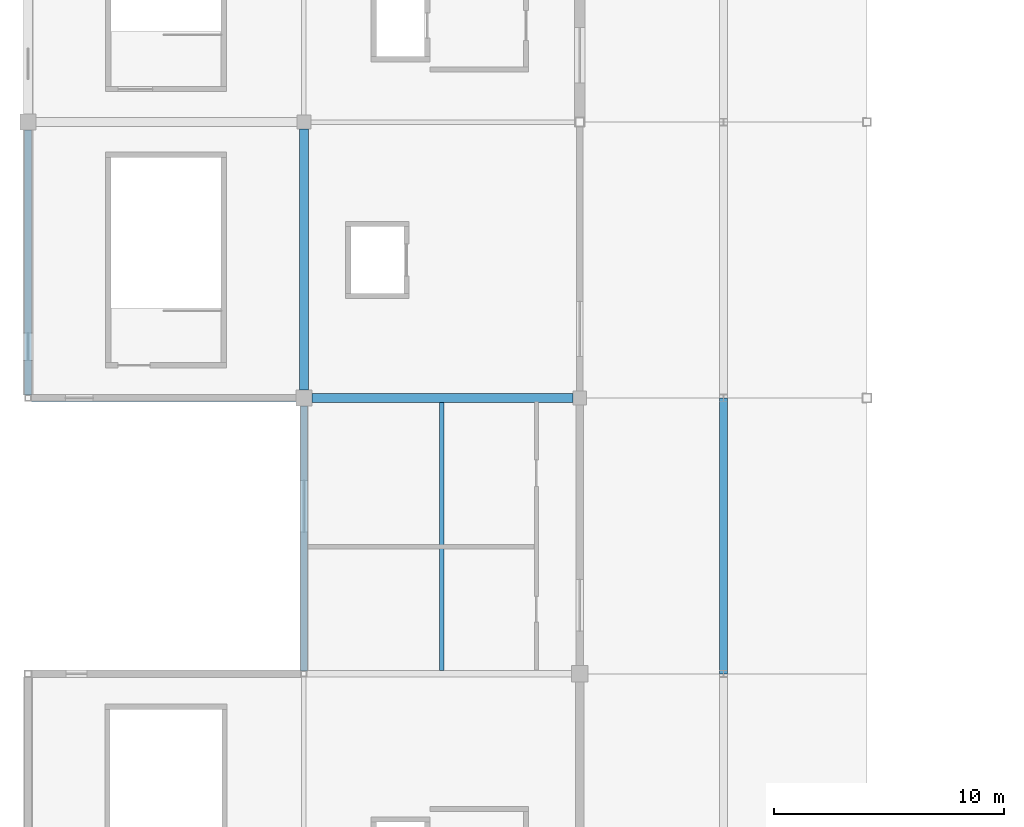
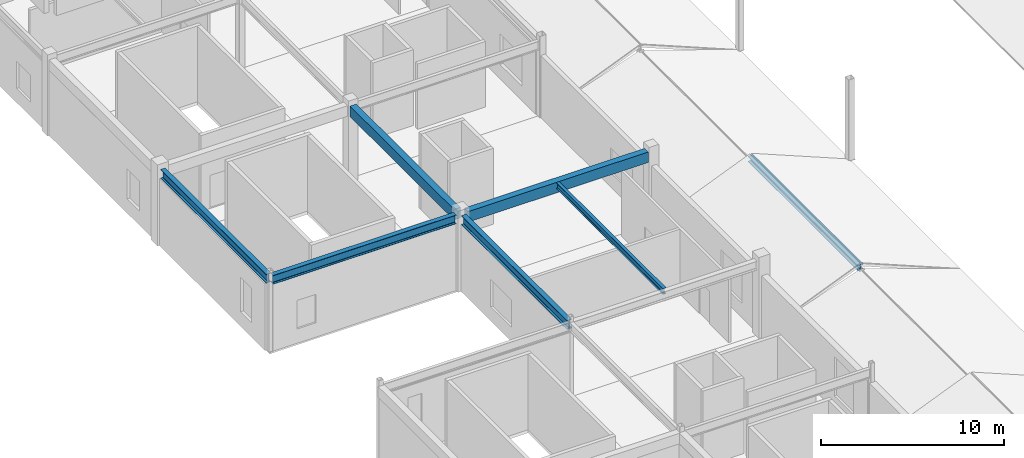
# One storey, part 33 of 76: 6 beams, 1 member.
"""IFC4 building model written with IfcOpenShell, lengths in metres."""

from ifc_helpers import new_model, si_unit, direction, frame, origin, origin_2d, place, context, subcontext, project, spatial, rectangle, i_section, extrude, material, material_profile, profile_set, type_object, element, save


model = new_model("IFC4")

# Units and contexts
model_context = context("Model", 3, precision=1e-05, world=origin(), true_north=direction((0.0, 1.0)))
body_context = subcontext(model_context, "Body", "Model", "MODEL_VIEW")
ifc_project = project(units=[si_unit("LENGTHUNIT", "METRE"), si_unit("AREAUNIT", "SQUARE_METRE"), si_unit("VOLUMEUNIT", "CUBIC_METRE"), si_unit("PLANEANGLEUNIT", "RADIAN"), si_unit("MASSUNIT", "GRAM", prefix="KILO")], contexts=[model_context])

# Site, building, storey
site_placement = place(None, origin())
site = spatial("IfcSite", under=ifc_project, at=site_placement, CompositionType="ELEMENT")
building_placement = place(site_placement, origin())
building = spatial("IfcBuilding", under=site, at=building_placement, Name="Kazenohara Klinker Stadium", CompositionType="ELEMENT")
storey_placement = place(building_placement, frame((0.0, 0.0, 25.800048828125)))
storey = spatial("IfcBuildingStorey", under=building, at=storey_placement, Name="L05", CompositionType="ELEMENT", Elevation=25.800048828125)

# Beams
ifc_material_1 = material(Name="Steel S355", Category="steel")
ifc_material_profile_1 = material_profile(ifc_material_1, i_section(OverallWidth=0.199951171875, OverallDepth=0.39990234375, WebThickness=0.008056640625, FlangeThickness=0.012939453125, FilletRadius=0.012939453125, at=origin_2d()), Name="H-400x200x8x13")
ifc_profile_set_1 = profile_set([ifc_material_profile_1], Name="Steel S355")
beam_type_1 = type_object("IfcBeamType", Name="BM-JST03", PredefinedType="JOIST", material=ifc_profile_set_1)
beam_placement = place(storey_placement, frame((18.0, 120.14990234375, 4.83984375), z_axis=(0.0, 1.0, 0.0), x_axis=(-1.0, 0.0, 0.0)))
element("IfcBeam", 1, at=beam_placement, inside=storey, type_object=beam_type_1, Name="Secondary floor joist SJ03 L05 2/L", PredefinedType="JOIST", context=body_context, shape_type="SweptSolid", body=[
    extrude(i_section(OverallWidth=0.199951171875, OverallDepth=0.39990234375, WebThickness=0.008056640625, FlangeThickness=0.012939453125, FilletRadius=0.012939453125, at=origin_2d()), origin(), (0.0, 0.0, 1.0), 11.650146484375),
])
ifc_material_2 = material(Name="Concrete C40/50", Category="concrete")
ifc_material_profile_2 = material_profile(ifc_material_2, rectangle(XDim=0.39990234375, YDim=0.699951171875, at=origin_2d()), Name="RC-BM-400x700")
ifc_profile_set_2 = profile_set([ifc_material_profile_2], Name="Concrete C40/50")
beam_type_2 = type_object("IfcBeamType", Name="BM-RC04", PredefinedType="BEAM", material=ifc_profile_set_2)
for number, where, z_axis, x_axis, name in (
    (2, (12.35009765625, 132.0, 4.68994140625), (1.0, 0.0, 0.0), (0.0, 1.0, 0.0), "Primary girder BG04 L05 2-3/M"),
    (3, (12.0, 132.35009765625, 4.68994140625), (0.0, 1.0, 0.0), (-1.0, 0.0, 0.0), "Primary girder BG04 L05 2/M-N"),
):
    element("IfcBeam", number, at=place(storey_placement, frame(where, z_axis=z_axis, x_axis=x_axis)), inside=storey, type_object=beam_type_2, Name=name, PredefinedType="BEAM", context=body_context, shape_type="SweptSolid", body=[
        extrude(rectangle(XDim=0.39990234375, YDim=0.699951171875, at=origin_2d()), origin(), (0.0, 0.0, 1.0), 11.349853515625),
    ])
ifc_material_profile_3 = material_profile(ifc_material_1, i_section(OverallWidth=0.300048828125, OverallDepth=0.587890625, WebThickness=0.011962890625, FlangeThickness=0.02001953125, FilletRadius=0.02197265625, at=origin_2d()), Name="H-588x300x12x20")
ifc_profile_set_3 = profile_set([ifc_material_profile_3], Name="Steel S355")
beam_type_3 = type_object("IfcBeamType", Name="BM-ST05", PredefinedType="BEAM", material=ifc_profile_set_3)
for number, where, z_axis, x_axis, name in (
    (4, (0.125, 132.0, 4.745849609375), (1.0, 0.0, 0.0), (0.0, 1.0, 0.0), "Primary girder SB05 L05 1-2/M"),
    (5, (0.0, 132.125, 4.745849609375), (0.0, 1.0, 0.0), (-1.0, 0.0, 0.0), "Primary girder SB05 L05 1/M-N"),
    (6, (12.0, 120.125, 4.745849609375), (0.0, 1.0, 0.0), (-1.0, 0.0, 0.0), "Primary girder SB05 L05 2/L-M"),
):
    element("IfcBeam", number, at=place(storey_placement, frame(where, z_axis=z_axis, x_axis=x_axis)), inside=storey, type_object=beam_type_3, Name=name, PredefinedType="BEAM", context=body_context, shape_type="SweptSolid", body=[
        extrude(i_section(OverallWidth=0.300048828125, OverallDepth=0.587890625, WebThickness=0.011962890625, FlangeThickness=0.02001953125, FilletRadius=0.02197265625, at=origin_2d()), origin(), (0.0, 0.0, 1.0), 11.52490234375),
    ])

# Member
ifc_material_profile_4 = material_profile(ifc_material_1, i_section(OverallWidth=0.35009765625, OverallDepth=0.35009765625, WebThickness=0.011962890625, FlangeThickness=0.01904296875, FilletRadius=0.012939453125, at=origin_2d()), Name="H-350x350x12x19")
ifc_profile_set_4 = profile_set([ifc_material_profile_4], Name="Steel S355")
member_type = type_object("IfcMemberType", Name="MEM-CHD02", PredefinedType="CHORD", material=ifc_profile_set_4)
member_placement = place(storey_placement, frame((30.25, 120.0, 2.22998046875), z_axis=(0.0, 1.0, 0.0), x_axis=(-1.0, 0.0, 0.0)))
element("IfcMember", 7, at=member_placement, inside=storey, type_object=member_type, Name="Stepped pavilion gable ridge beam L05 3/L", PredefinedType="CHORD", context=body_context, shape_type="SweptSolid", body=[
    extrude(i_section(OverallWidth=0.35009765625, OverallDepth=0.35009765625, WebThickness=0.011962890625, FlangeThickness=0.01904296875, FilletRadius=0.012939453125, at=origin_2d()), origin(), (0.0, 0.0, 1.0), 12.0),
])

save(model, "model.ifc")
